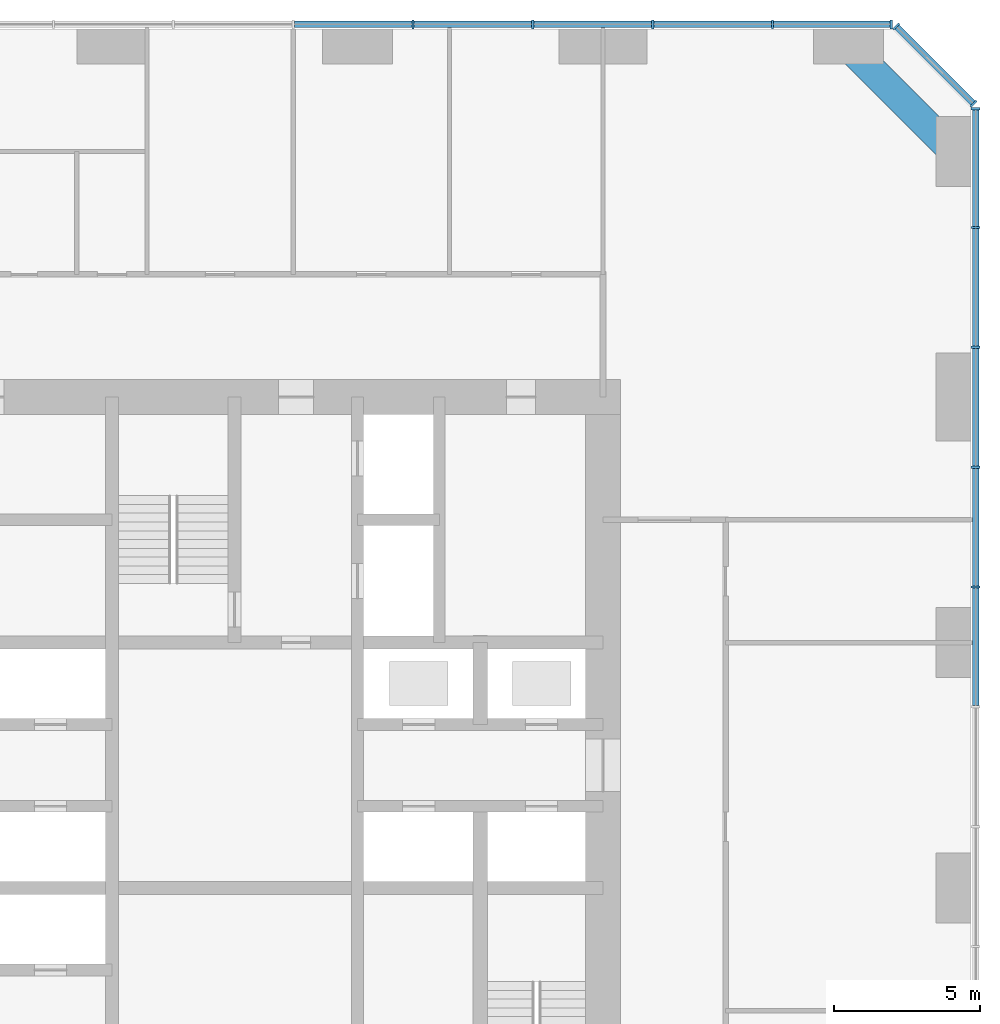
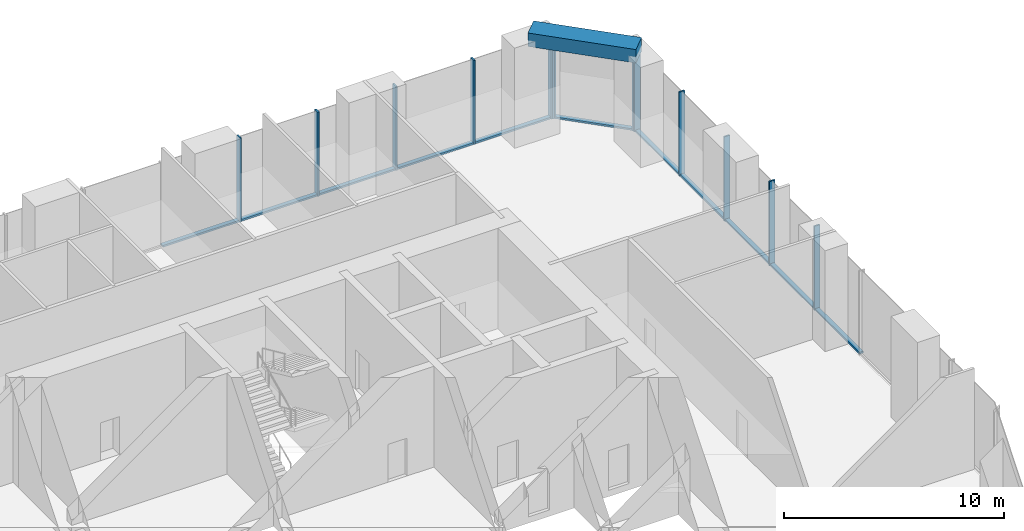
# One storey, part 5 of 13: 23 members, 1 beam, 3 elements without a shape of their own.
"""IFC4 building model written with IfcOpenShell, lengths in metres."""

from ifc_helpers import new_model, si_unit, direction, frame, origin, origin_2d, place, context, subcontext, project, spatial, rectangle, extrude, material, material_profile, profile_set, type_object, element, aggregate, save


model = new_model("IFC4")

# Units and contexts
model_context = context("Model", 3, precision=1e-05, world=origin(), true_north=direction((0.0, 1.0)))
body_context = subcontext(model_context, "Body", "Model", "MODEL_VIEW")
ifc_project = project(units=[si_unit("LENGTHUNIT", "METRE"), si_unit("AREAUNIT", "SQUARE_METRE"), si_unit("VOLUMEUNIT", "CUBIC_METRE"), si_unit("PLANEANGLEUNIT", "RADIAN"), si_unit("MASSUNIT", "GRAM", prefix="KILO")], contexts=[model_context])

# Site, building, storey
site_placement = place(None, origin())
site = spatial("IfcSite", under=ifc_project, at=site_placement, CompositionType="ELEMENT")
building_placement = place(site_placement, origin())
building = spatial("IfcBuilding", under=site, at=building_placement, Name="Dunama Terrace Hotel", CompositionType="ELEMENT")
storey_placement = place(building_placement, frame((0.0, 0.0, 147.60009765625)))
storey = spatial("IfcBuildingStorey", under=building, at=storey_placement, Name="L38", CompositionType="ELEMENT", Elevation=147.60009765625)

# Curtain wall, members
ifc_material_1 = material(Name="Aluminium curtain wall system", Category="aluminium")
curtain_wall_type = type_object("IfcCurtainWallType", Name="Sky lobby glazing CW-F", PredefinedType="NOTDEFINED", material=ifc_material_1)
curtain_wall_1_placement = place(storey_placement, origin())
curtain_wall_1 = element("IfcCurtainWall", 1, at=curtain_wall_1_placement, inside=storey, type_object=curtain_wall_type, Name="Sky lobby glazing CW-F L38", PredefinedType="NOTDEFINED")
ifc_material_2 = material(Name="Aluminium mullion", Category="aluminium")
ifc_material_profile_1 = material_profile(ifc_material_2, rectangle(XDim=0.080078125, YDim=0.300048828125, at=origin_2d()), Name="CWF MULLION 80X300")
ifc_profile_set_1 = profile_set([ifc_material_profile_1], Name="Aluminium mullion")
member_type_1 = type_object("IfcMemberType", Name="CWF mullion 80x300", PredefinedType="MULLION", material=ifc_profile_set_1)
member_1_placement = place(storey_placement, frame((54.75, 35.5, 0.0), z_axis=(0.0, 0.0, 1.0), x_axis=(0.0, 1.0, 0.0)))
member_1 = element("IfcMember", 2, at=member_1_placement, type_object=member_type_1, Name="CWF mullion", PredefinedType="MULLION", context=body_context, shape_type="SweptSolid", body=[
    extrude(rectangle(XDim=0.080078125, YDim=0.300048828125, at=origin_2d()), origin(), (0.0, 0.0, 1.0), 4.678955078125),
])
member_2_placement = place(storey_placement, frame((54.75, 39.60009765625, 0.0), z_axis=(0.0, 0.0, 1.0), x_axis=(0.0, 1.0, 0.0)))
member_2 = element("IfcMember", 3, at=member_2_placement, type_object=member_type_1, Name="CWF mullion", PredefinedType="MULLION", context=body_context, shape_type="SweptSolid", body=[
    extrude(rectangle(XDim=0.080078125, YDim=0.300048828125, at=origin_2d()), origin(), (0.0, 0.0, 1.0), 4.678955078125),
])
member_3_placement = place(storey_placement, frame((54.75, 43.699951171875, 0.0), z_axis=(0.0, 0.0, 1.0), x_axis=(0.0, 1.0, 0.0)))
member_3 = element("IfcMember", 4, at=member_3_placement, type_object=member_type_1, Name="CWF mullion", PredefinedType="MULLION", context=body_context, shape_type="SweptSolid", body=[
    extrude(rectangle(XDim=0.080078125, YDim=0.300048828125, at=origin_2d()), origin(), (0.0, 0.0, 1.0), 4.678955078125),
])
member_4_placement = place(storey_placement, frame((54.75, 47.800048828125, 0.0), z_axis=(0.0, 0.0, 1.0), x_axis=(0.0, 1.0, 0.0)))
member_4 = element("IfcMember", 5, at=member_4_placement, type_object=member_type_1, Name="CWF mullion", PredefinedType="MULLION", context=body_context, shape_type="SweptSolid", body=[
    extrude(rectangle(XDim=0.080078125, YDim=0.300048828125, at=origin_2d()), origin(), (0.0, 0.0, 1.0), 4.678955078125),
])
member_5_placement = place(storey_placement, frame((54.75, 51.860107421875, 0.0), z_axis=(0.0, 0.0, 1.0), x_axis=(0.0, 1.0, 0.0)))
member_5 = element("IfcMember", 6, at=member_5_placement, type_object=member_type_1, Name="CWF mullion", PredefinedType="MULLION", context=body_context, shape_type="SweptSolid", body=[
    extrude(rectangle(XDim=0.080078125, YDim=0.300048828125, at=origin_2d()), origin(), (0.0, 0.0, 1.0), 4.678955078125),
])

curtain_wall_2_placement = place(storey_placement, origin())
curtain_wall_2 = element("IfcCurtainWall", 7, at=curtain_wall_2_placement, inside=storey, type_object=curtain_wall_type, Name="Sky lobby glazing CW-F L38", PredefinedType="NOTDEFINED")
member_6_placement = place(storey_placement, frame((54.677978515625, 52.033935546875, 0.0), z_axis=(0.0, 0.0, 1.0), x_axis=(-0.707106781187, 0.707106781187, 0.0)))
member_6 = element("IfcMember", 8, at=member_6_placement, type_object=member_type_1, Name="CWF mullion", PredefinedType="MULLION", context=body_context, shape_type="SweptSolid", body=[
    extrude(rectangle(XDim=0.080078125, YDim=0.300048828125, at=origin_2d()), origin(), (0.0, 0.0, 1.0), 4.678955078125),
])
member_7_placement = place(storey_placement, frame((52.033935546875, 54.677978515625, 0.0), z_axis=(0.0, 0.0, 1.0), x_axis=(-0.707106781187, 0.707106781187, 0.0)))
member_7 = element("IfcMember", 9, at=member_7_placement, type_object=member_type_1, Name="CWF mullion", PredefinedType="MULLION", context=body_context, shape_type="SweptSolid", body=[
    extrude(rectangle(XDim=0.080078125, YDim=0.300048828125, at=origin_2d()), origin(), (0.0, 0.0, 1.0), 4.678955078125),
])

curtain_wall_3_placement = place(storey_placement, origin())
curtain_wall_3 = element("IfcCurtainWall", 10, at=curtain_wall_3_placement, inside=storey, type_object=curtain_wall_type, Name="Sky lobby glazing CW-F L38", PredefinedType="NOTDEFINED")
member_8_placement = place(storey_placement, frame((51.860107421875, 54.75, 0.0), z_axis=(0.0, 0.0, 1.0), x_axis=(-1.0, 0.0, 0.0)))
member_8 = element("IfcMember", 11, at=member_8_placement, type_object=member_type_1, Name="CWF mullion", PredefinedType="MULLION", context=body_context, shape_type="SweptSolid", body=[
    extrude(rectangle(XDim=0.080078125, YDim=0.300048828125, at=origin_2d()), origin(), (0.0, 0.0, 1.0), 4.678955078125),
])
member_9_placement = place(storey_placement, frame((47.800048828125, 54.75, 0.0), z_axis=(0.0, 0.0, 1.0), x_axis=(-1.0, 0.0, 0.0)))
member_9 = element("IfcMember", 12, at=member_9_placement, type_object=member_type_1, Name="CWF mullion", PredefinedType="MULLION", context=body_context, shape_type="SweptSolid", body=[
    extrude(rectangle(XDim=0.080078125, YDim=0.300048828125, at=origin_2d()), origin(), (0.0, 0.0, 1.0), 4.678955078125),
])
member_10_placement = place(storey_placement, frame((43.699951171875, 54.75, 0.0), z_axis=(0.0, 0.0, 1.0), x_axis=(-1.0, 0.0, 0.0)))
member_10 = element("IfcMember", 13, at=member_10_placement, type_object=member_type_1, Name="CWF mullion", PredefinedType="MULLION", context=body_context, shape_type="SweptSolid", body=[
    extrude(rectangle(XDim=0.080078125, YDim=0.300048828125, at=origin_2d()), origin(), (0.0, 0.0, 1.0), 4.678955078125),
])
member_11_placement = place(storey_placement, frame((39.60009765625, 54.75, 0.0), z_axis=(0.0, 0.0, 1.0), x_axis=(-1.0, 0.0, 0.0)))
member_11 = element("IfcMember", 14, at=member_11_placement, type_object=member_type_1, Name="CWF mullion", PredefinedType="MULLION", context=body_context, shape_type="SweptSolid", body=[
    extrude(rectangle(XDim=0.080078125, YDim=0.300048828125, at=origin_2d()), origin(), (0.0, 0.0, 1.0), 4.678955078125),
])
member_12_placement = place(storey_placement, frame((35.5, 54.75, 0.0), z_axis=(0.0, 0.0, 1.0), x_axis=(-1.0, 0.0, 0.0)))
member_12 = element("IfcMember", 15, at=member_12_placement, type_object=member_type_1, Name="CWF mullion", PredefinedType="MULLION", context=body_context, shape_type="SweptSolid", body=[
    extrude(rectangle(XDim=0.080078125, YDim=0.300048828125, at=origin_2d()), origin(), (0.0, 0.0, 1.0), 4.678955078125),
])

# Member
ifc_material_3 = material(Name="Aluminium transom", Category="aluminium")
ifc_material_profile_2 = material_profile(ifc_material_3, rectangle(XDim=0.219970703125, YDim=0.10009765625, at=origin_2d()), Name="CWF TRANSOM 220X100")
ifc_profile_set_2 = profile_set([ifc_material_profile_2], Name="Aluminium transom")
member_type_2 = type_object("IfcMemberType", Name="CWF transom 220x100", PredefinedType="USERDEFINED", material=ifc_profile_set_2)
member_13_placement = place(storey_placement, frame((54.75, 31.43994140625, 0.0498046875), z_axis=(0.0, 1.0, 0.0), x_axis=(-1.0, 0.0, 0.0)))
member_13 = element("IfcMember", 16, at=member_13_placement, type_object=member_type_2, Name="CWF transom", ObjectType="TRANSOM", PredefinedType="USERDEFINED", context=body_context, shape_type="SweptSolid", body=[
    extrude(rectangle(XDim=0.219970703125, YDim=0.10009765625, at=origin_2d()), origin(), (0.0, 0.0, 1.0), 4.02001953125),
])

member_14_placement = place(storey_placement, frame((54.75, 35.5400390625, 0.0498046875), z_axis=(0.0, 1.0, 0.0), x_axis=(-1.0, 0.0, 0.0)))
member_14 = element("IfcMember", 17, at=member_14_placement, type_object=member_type_2, Name="CWF transom", ObjectType="TRANSOM", PredefinedType="USERDEFINED", context=body_context, shape_type="SweptSolid", body=[
    extrude(rectangle(XDim=0.219970703125, YDim=0.10009765625, at=origin_2d()), origin(), (0.0, 0.0, 1.0), 4.02001953125),
])

member_15_placement = place(storey_placement, frame((54.75, 39.639892578125, 0.0498046875), z_axis=(0.0, 1.0, 0.0), x_axis=(-1.0, 0.0, 0.0)))
member_15 = element("IfcMember", 18, at=member_15_placement, type_object=member_type_2, Name="CWF transom", ObjectType="TRANSOM", PredefinedType="USERDEFINED", context=body_context, shape_type="SweptSolid", body=[
    extrude(rectangle(XDim=0.219970703125, YDim=0.10009765625, at=origin_2d()), origin(), (0.0, 0.0, 1.0), 4.02001953125),
])

member_16_placement = place(storey_placement, frame((54.75, 43.739990234375, 0.0498046875), z_axis=(0.0, 1.0, 0.0), x_axis=(-1.0, 0.0, 0.0)))
member_16 = element("IfcMember", 19, at=member_16_placement, type_object=member_type_2, Name="CWF transom", ObjectType="TRANSOM", PredefinedType="USERDEFINED", context=body_context, shape_type="SweptSolid", body=[
    extrude(rectangle(XDim=0.219970703125, YDim=0.10009765625, at=origin_2d()), origin(), (0.0, 0.0, 1.0), 4.02001953125),
])

member_17_placement = place(storey_placement, frame((54.75, 47.840087890625, 0.0498046875), z_axis=(0.0, 1.0, 0.0), x_axis=(-1.0, 0.0, 0.0)))
member_17 = element("IfcMember", 20, at=member_17_placement, type_object=member_type_2, Name="CWF transom", ObjectType="TRANSOM", PredefinedType="USERDEFINED", context=body_context, shape_type="SweptSolid", body=[
    extrude(rectangle(XDim=0.219970703125, YDim=0.10009765625, at=origin_2d()), origin(), (0.0, 0.0, 1.0), 3.97998046875),
])

aggregate(curtain_wall_1, [member_1, member_2, member_3, member_4, member_5, member_13, member_14, member_15, member_16, member_17])

member_18_placement = place(storey_placement, frame((54.64892578125, 52.06298828125, 0.0498046875), z_axis=(-0.707106781187, 0.707106781187, 0.0), x_axis=(-0.707106781187, -0.707106781187, 0.0)))
member_18 = element("IfcMember", 21, at=member_18_placement, type_object=member_type_2, Name="CWF transom", ObjectType="TRANSOM", PredefinedType="USERDEFINED", context=body_context, shape_type="SweptSolid", body=[
    extrude(rectangle(XDim=0.219970703125, YDim=0.10009765625, at=origin_2d()), origin(), (0.0, 0.0, 1.0), 3.656982421875),
])

aggregate(curtain_wall_2, [member_6, member_7, member_18])

member_19_placement = place(storey_placement, frame((51.820068359375, 54.75, 0.0498046875), z_axis=(-1.0, 0.0, 0.0), x_axis=(0.0, -1.0, 0.0)))
member_19 = element("IfcMember", 22, at=member_19_placement, type_object=member_type_2, Name="CWF transom", ObjectType="TRANSOM", PredefinedType="USERDEFINED", context=body_context, shape_type="SweptSolid", body=[
    extrude(rectangle(XDim=0.219970703125, YDim=0.10009765625, at=origin_2d()), origin(), (0.0, 0.0, 1.0), 3.97998046875),
])

member_20_placement = place(storey_placement, frame((47.760009765625, 54.75, 0.0498046875), z_axis=(-1.0, 0.0, 0.0), x_axis=(0.0, -1.0, 0.0)))
member_20 = element("IfcMember", 23, at=member_20_placement, type_object=member_type_2, Name="CWF transom", ObjectType="TRANSOM", PredefinedType="USERDEFINED", context=body_context, shape_type="SweptSolid", body=[
    extrude(rectangle(XDim=0.219970703125, YDim=0.10009765625, at=origin_2d()), origin(), (0.0, 0.0, 1.0), 4.02001953125),
])

member_21_placement = place(storey_placement, frame((43.659912109375, 54.75, 0.0498046875), z_axis=(-1.0, 0.0, 0.0), x_axis=(0.0, -1.0, 0.0)))
member_21 = element("IfcMember", 24, at=member_21_placement, type_object=member_type_2, Name="CWF transom", ObjectType="TRANSOM", PredefinedType="USERDEFINED", context=body_context, shape_type="SweptSolid", body=[
    extrude(rectangle(XDim=0.219970703125, YDim=0.10009765625, at=origin_2d()), origin(), (0.0, 0.0, 1.0), 4.02001953125),
])

member_22_placement = place(storey_placement, frame((39.56005859375, 54.75, 0.0498046875), z_axis=(-1.0, 0.0, 0.0), x_axis=(0.0, -1.0, 0.0)))
member_22 = element("IfcMember", 25, at=member_22_placement, type_object=member_type_2, Name="CWF transom", ObjectType="TRANSOM", PredefinedType="USERDEFINED", context=body_context, shape_type="SweptSolid", body=[
    extrude(rectangle(XDim=0.219970703125, YDim=0.10009765625, at=origin_2d()), origin(), (0.0, 0.0, 1.0), 4.02001953125),
])

member_23_placement = place(storey_placement, frame((35.4599609375, 54.75, 0.0498046875), z_axis=(-1.0, 0.0, 0.0), x_axis=(0.0, -1.0, 0.0)))
member_23 = element("IfcMember", 26, at=member_23_placement, type_object=member_type_2, Name="CWF transom", ObjectType="TRANSOM", PredefinedType="USERDEFINED", context=body_context, shape_type="SweptSolid", body=[
    extrude(rectangle(XDim=0.219970703125, YDim=0.10009765625, at=origin_2d()), origin(), (0.0, 0.0, 1.0), 4.02001953125),
])

aggregate(curtain_wall_3, [member_8, member_9, member_10, member_11, member_12, member_19, member_20, member_21, member_22, member_23])

# Beam
ifc_material_4 = material(Name="Concrete C50/60", Category="concrete")
ifc_material_profile_3 = material_profile(ifc_material_4, rectangle(XDim=1.0, YDim=0.75, at=origin_2d()), Name="RC 1000x750")
ifc_profile_set_3 = profile_set([ifc_material_profile_3], Name="Concrete C50/60")
beam_type = type_object("IfcBeamType", Name="Edge beam RC 1000x750", PredefinedType="SPANDREL", material=ifc_profile_set_3)
beam_placement = place(storey_placement, frame((50.39990234375, 54.0, 5.625), z_axis=(0.707106781187, -0.707106781187, 0.0), x_axis=(0.707106781187, 0.707106781187, 0.0)))
element("IfcBeam", 27, at=beam_placement, inside=storey, type_object=beam_type, Name="Corner edge beam under L39", PredefinedType="SPANDREL", context=body_context, shape_type="SweptSolid", body=[
    extrude(rectangle(XDim=1.0, YDim=0.75, at=origin_2d()), origin(), (0.0, 0.0, 1.0), 5.09130859375),
])

save(model, "model.ifc")
